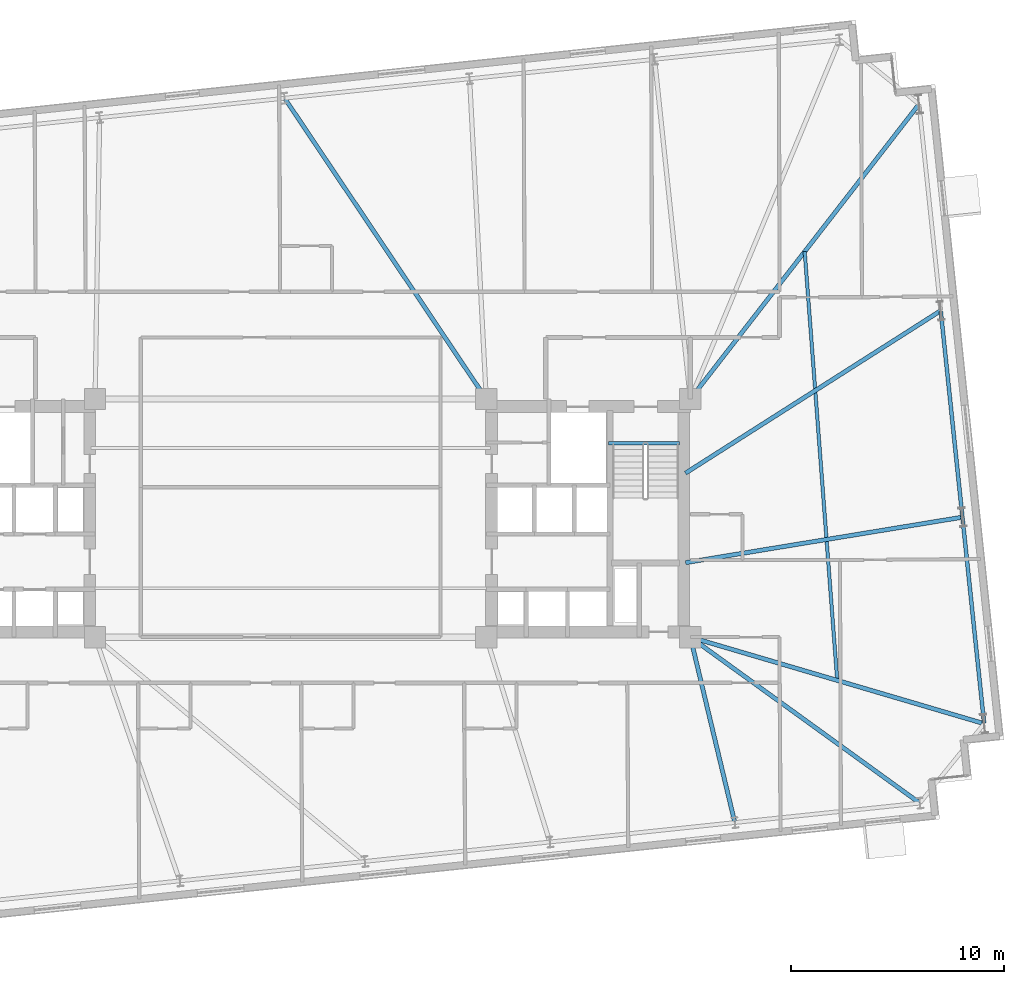
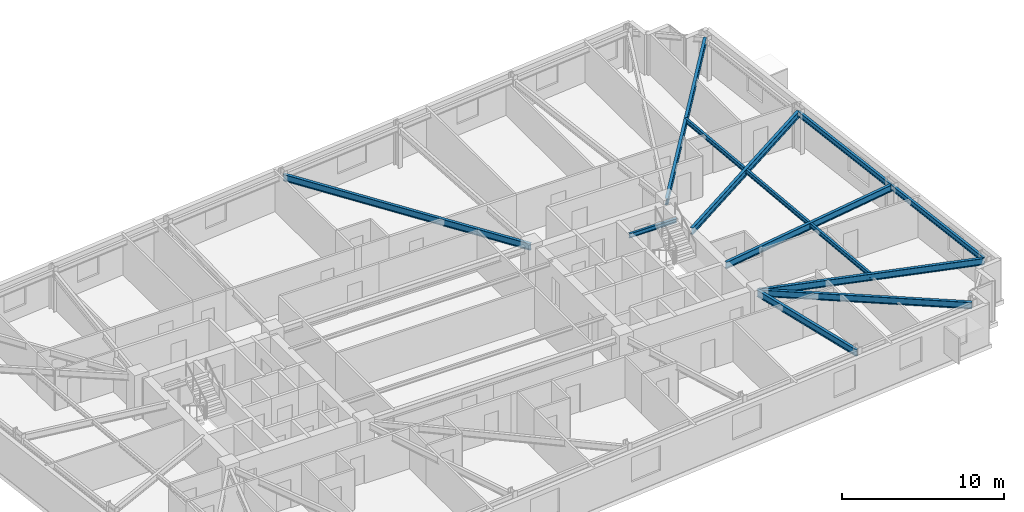
# One storey, part 7 of 18: 11 beams.
"""IFC4 building model written with IfcOpenShell, lengths in metres."""

from ifc_helpers import new_model, si_unit, direction, frame, origin, origin_2d, place, context, subcontext, project, spatial, i_section, extrude, material, material_profile, profile_set, type_object, element, save


model = new_model("IFC4")

# Units and contexts
model_context = context("Model", 3, precision=1e-05, world=origin(), true_north=direction((0.0, 1.0)))
body_context = subcontext(model_context, "Body", "Model", "MODEL_VIEW")
ifc_project = project(units=[si_unit("LENGTHUNIT", "METRE"), si_unit("AREAUNIT", "SQUARE_METRE"), si_unit("VOLUMEUNIT", "CUBIC_METRE"), si_unit("PLANEANGLEUNIT", "RADIAN"), si_unit("MASSUNIT", "GRAM", prefix="KILO")], contexts=[model_context])

# Site, building, storey
site_placement = place(None, origin())
site = spatial("IfcSite", under=ifc_project, at=site_placement, CompositionType="ELEMENT")
building_placement = place(site_placement, origin())
building = spatial("IfcBuilding", under=site, at=building_placement, Name="Qobustan Lattice House", CompositionType="ELEMENT")
storey_placement = place(building_placement, frame((0.0, 0.0, 92.39990234375)))
storey = spatial("IfcBuildingStorey", under=building, at=storey_placement, Name="L25", CompositionType="ELEMENT", Elevation=92.39990234375)

# Beams
ifc_material_1 = material(Name="Steel S355", Category="steel")
ifc_material_profile_1 = material_profile(ifc_material_1, i_section(OverallWidth=0.199951171875, OverallDepth=0.5, WebThickness=0.01025390625, FlangeThickness=0.01611328125, FilletRadius=0.02099609375, at=origin_2d()), Name="IPE500")
ifc_profile_set_1 = profile_set([ifc_material_profile_1], Name="Steel S355")
beam_type_1 = type_object("IfcBeamType", Name="BM-FLG-IPE500", PredefinedType="USERDEFINED", material=ifc_profile_set_1)
beam_1_placement = place(storey_placement, frame((20.885009765625, -14.297607421875, 2.795166015625), z_axis=(-0.233107910855, 0.97245087377, 0.0), x_axis=(-0.97245087377, -0.233107910855, 0.0)))
element("IfcBeam", 1, at=beam_1_placement, inside=storey, type_object=beam_type_1, Name="L25 primary floor girder RAD-S6", ObjectType="GIRDER", PredefinedType="USERDEFINED", context=body_context, shape_type="SweptSolid", body=[
    extrude(i_section(OverallWidth=0.199951171875, OverallDepth=0.5, WebThickness=0.01025390625, FlangeThickness=0.01611328125, FilletRadius=0.02099609375, at=origin_2d()), origin(), (0.0, 0.0, 1.0), 8.9189453125),
])
beam_2_placement = place(storey_placement, frame((29.572509765625, -13.392578125, 2.795166015625), z_axis=(-0.81023705091, 0.586102313024, 0.0), x_axis=(-0.586102313024, -0.81023705091, 0.0)))
element("IfcBeam", 2, at=beam_2_placement, inside=storey, type_object=beam_type_1, Name="L25 primary floor girder RAD-S7E", ObjectType="GIRDER", PredefinedType="USERDEFINED", context=body_context, shape_type="SweptSolid", body=[
    extrude(i_section(OverallWidth=0.199951171875, OverallDepth=0.5, WebThickness=0.01025390625, FlangeThickness=0.01611328125, FilletRadius=0.02099609375, at=origin_2d()), origin(), (0.0, 0.0, 1.0), 13.2705078125),
])
beam_3_placement = place(storey_placement, frame((-0.272705078125, 19.730224609375, 2.795166015625), z_axis=(0.556837669082, -0.830621339896, 0.0), x_axis=(0.830621339896, 0.556837669082, 0.0)))
element("IfcBeam", 3, at=beam_3_placement, inside=storey, type_object=beam_type_1, Name="L25 primary floor girder RAD-N4", ObjectType="GIRDER", PredefinedType="USERDEFINED", context=body_context, shape_type="SweptSolid", body=[
    extrude(i_section(OverallWidth=0.199951171875, OverallDepth=0.5, WebThickness=0.01025390625, FlangeThickness=0.01611328125, FilletRadius=0.02099609375, at=origin_2d()), origin(), (0.0, 0.0, 1.0), 16.986572265625),
])
beam_4_placement = place(storey_placement, frame((29.541015625, 19.44921875, 2.795166015625), z_axis=(-0.612860318028, -0.790191262029, 0.0), x_axis=(0.790191262029, -0.612860318028, 0.0)))
element("IfcBeam", 4, at=beam_4_placement, inside=storey, type_object=beam_type_1, Name="L25 primary floor girder RAD-E4", ObjectType="GIRDER", PredefinedType="USERDEFINED", context=body_context, shape_type="SweptSolid", body=[
    extrude(i_section(OverallWidth=0.199951171875, OverallDepth=0.5, WebThickness=0.01025390625, FlangeThickness=0.01611328125, FilletRadius=0.02099609375, at=origin_2d()), origin(), (0.0, 0.0, 1.0), 17.501220703125),
])
beam_5_placement = place(storey_placement, frame((30.555908203125, 9.742431640625, 2.795166015625), z_axis=(-0.843584351199, -0.536996687525, 0.0), x_axis=(0.536996687525, -0.843584351199, 0.0)))
element("IfcBeam", 5, at=beam_5_placement, inside=storey, type_object=beam_type_1, Name="L25 primary floor girder RAD-E3", ObjectType="GIRDER", PredefinedType="USERDEFINED", context=body_context, shape_type="SweptSolid", body=[
    extrude(i_section(OverallWidth=0.199951171875, OverallDepth=0.5, WebThickness=0.01025390625, FlangeThickness=0.01611328125, FilletRadius=0.02099609375, at=origin_2d()), origin(), (0.0, 0.0, 1.0), 14.20703125),
])
beam_6_placement = place(storey_placement, frame((31.5732421875, 0.03857421875, 2.795166015625), z_axis=(-0.986783828506, -0.162042203761, 0.0), x_axis=(0.162042203761, -0.986783828506, 0.0)))
element("IfcBeam", 6, at=beam_6_placement, inside=storey, type_object=beam_type_1, Name="L25 primary floor girder RAD-E2", ObjectType="GIRDER", PredefinedType="USERDEFINED", context=body_context, shape_type="SweptSolid", body=[
    extrude(i_section(OverallWidth=0.199951171875, OverallDepth=0.5, WebThickness=0.01025390625, FlangeThickness=0.01611328125, FilletRadius=0.02099609375, at=origin_2d()), origin(), (0.0, 0.0, 1.0), 13.172607421875),
])
beam_7_placement = place(storey_placement, frame((32.594970703125, -9.663330078125, 2.795166015625), z_axis=(-0.959254941513, 0.282541956499, 0.0), x_axis=(-0.282541956499, -0.959254941513, 0.0)))
element("IfcBeam", 7, at=beam_7_placement, inside=storey, type_object=beam_type_1, Name="L25 primary floor girder RAD-E1", ObjectType="GIRDER", PredefinedType="USERDEFINED", context=body_context, shape_type="SweptSolid", body=[
    extrude(i_section(OverallWidth=0.199951171875, OverallDepth=0.5, WebThickness=0.01025390625, FlangeThickness=0.01611328125, FilletRadius=0.02099609375, at=origin_2d()), origin(), (0.0, 0.0, 1.0), 14.35595703125),
])
ifc_material_2 = material(Name="Steel S355", Category="steel")
ifc_material_profile_2 = material_profile(ifc_material_2, i_section(OverallWidth=0.159912109375, OverallDepth=0.330078125, WebThickness=0.007568359375, FlangeThickness=0.011474609375, FilletRadius=0.01806640625, at=origin_2d()), Name="IPE330")
ifc_profile_set_2 = profile_set([ifc_material_profile_2], Name="Steel S355")
beam_type_2 = type_object("IfcBeamType", Name="BM-SEC-IPE330", PredefinedType="BEAM", material=ifc_profile_set_2)
beam_8_placement = place(storey_placement, frame((24.177978515625, 12.534423828125, 2.880126953125), z_axis=(0.075712576466, -0.997129683524, 0.0), x_axis=(0.997129683524, 0.075712576466, 0.0)))
element("IfcBeam", 8, at=beam_8_placement, inside=storey, type_object=beam_type_2, Name="L25 east wing secondary beam", PredefinedType="BEAM", context=body_context, shape_type="SweptSolid", body=[
    extrude(i_section(OverallWidth=0.159912109375, OverallDepth=0.330078125, WebThickness=0.007568359375, FlangeThickness=0.011474609375, FilletRadius=0.01806640625, at=origin_2d()), origin(), (0.0, 0.0, 1.0), 20.227783203125),
])
ifc_material_3 = material(Name="Steel S355", Category="steel")
ifc_material_profile_3 = material_profile(ifc_material_3, i_section(OverallWidth=0.159912109375, OverallDepth=0.330078125, WebThickness=0.007568359375, FlangeThickness=0.011474609375, FilletRadius=0.01806640625, at=origin_2d()), Name="IPE330")
ifc_profile_set_3 = profile_set([ifc_material_profile_3], Name="Steel S355")
beam_type_3 = type_object("IfcBeamType", Name="BM-SPD-IPE330", PredefinedType="SPANDREL", material=ifc_profile_set_3)
beam_9_placement = place(storey_placement, frame((14.949951171875, 3.52001953125, 2.880126953125), z_axis=(1.0, 0.0, 0.0), x_axis=(0.0, 1.0, 0.0)))
element("IfcBeam", 9, at=beam_9_placement, inside=storey, type_object=beam_type_3, Name="L25 east stair landing trimmer beam", PredefinedType="SPANDREL", context=body_context, shape_type="SweptSolid", body=[
    extrude(i_section(OverallWidth=0.159912109375, OverallDepth=0.330078125, WebThickness=0.007568359375, FlangeThickness=0.011474609375, FilletRadius=0.01806640625, at=origin_2d()), origin(), (0.0, 0.0, 1.0), 3.35009765625),
])
ifc_material_4 = material(Name="Steel S355", Category="steel")
ifc_material_profile_4 = material_profile(ifc_material_4, i_section(OverallWidth=0.179931640625, OverallDepth=0.39990234375, WebThickness=0.008544921875, FlangeThickness=0.013427734375, FilletRadius=0.02099609375, at=origin_2d()), Name="IPE400")
ifc_profile_set_4 = profile_set([ifc_material_profile_4], Name="Steel S355")
beam_type_4 = type_object("IfcBeamType", Name="BM-SPD-IPE400", PredefinedType="SPANDREL", material=ifc_profile_set_4)
for number, where, z_axis, x_axis, name in (
    (10, (32.6162109375, -9.6455078125, 2.84521484375), (-0.104525214252, 0.994522236848, 0.0), (-0.994522236848, -0.104525214252, 0.0), "L25 perimeter spandrel E1-E2"),
    (11, (31.595458984375, 0.067626953125, 2.84521484375), (-0.10455006589, 0.994519624604, 0.0), (-0.994519624604, -0.10455006589, 0.0), "L25 perimeter spandrel E2-E3"),
):
    element("IfcBeam", number, at=place(storey_placement, frame(where, z_axis=z_axis, x_axis=x_axis)), inside=storey, type_object=beam_type_4, Name=name, PredefinedType="SPANDREL", context=body_context, shape_type="SweptSolid", body=[
        extrude(i_section(OverallWidth=0.179931640625, OverallDepth=0.39990234375, WebThickness=0.008544921875, FlangeThickness=0.013427734375, FilletRadius=0.02099609375, at=origin_2d()), origin(), (0.0, 0.0, 1.0), 9.716552734375),
    ])

save(model, "model.ifc")
